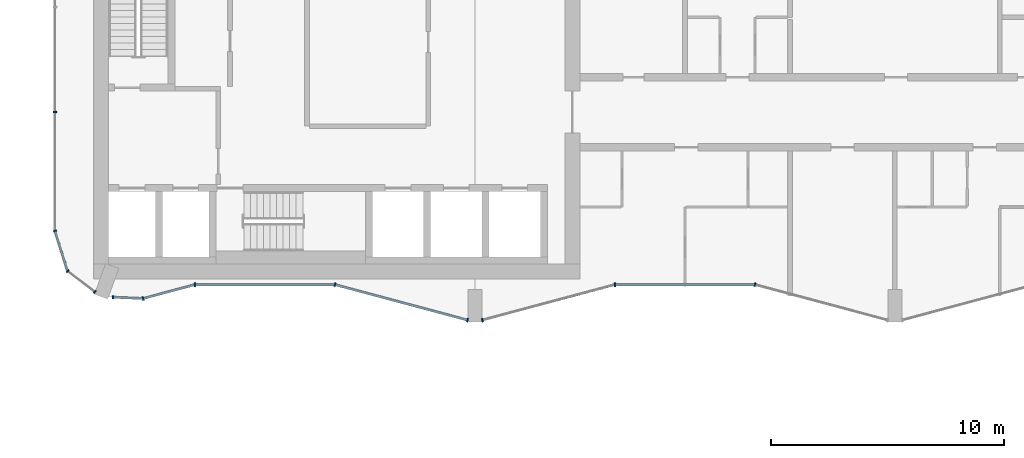
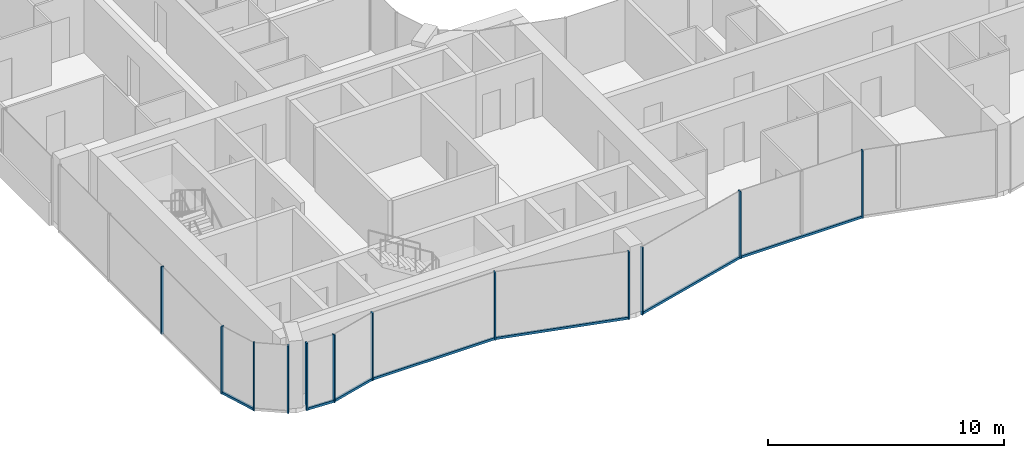
# One storey, part 2 of 22: 19 members, 10 elements without a shape of their own.
"""IFC4 building model written with IfcOpenShell, lengths in metres."""

from ifc_helpers import new_model, si_unit, direction, frame, origin, origin_2d, place, context, subcontext, project, spatial, rectangle, extrude, material, layer, layer_set, material_profile, profile_set, type_object, element, aggregate, save


model = new_model("IFC4")

# Units and contexts
model_context = context("Model", 3, precision=1e-05, world=origin(), true_north=direction((0.0, 1.0)))
body_context = subcontext(model_context, "Body", "Model", "MODEL_VIEW")
ifc_project = project(units=[si_unit("LENGTHUNIT", "METRE"), si_unit("AREAUNIT", "SQUARE_METRE"), si_unit("VOLUMEUNIT", "CUBIC_METRE"), si_unit("PLANEANGLEUNIT", "RADIAN"), si_unit("MASSUNIT", "GRAM", prefix="KILO")], contexts=[model_context])

# Site, building, storey
site_placement = place(None, origin())
site = spatial("IfcSite", under=ifc_project, at=site_placement, CompositionType="ELEMENT")
building_placement = place(site_placement, origin())
building = spatial("IfcBuilding", under=site, at=building_placement, Name="Plateau Cross Towers", CompositionType="ELEMENT")
storey_placement = place(building_placement, frame((0.0, 0.0, 113.300048828125)))
storey = spatial("IfcBuildingStorey", under=building, at=storey_placement, Name="L29", CompositionType="ELEMENT", Elevation=113.300048828125)

# Curtain wall, member
ifc_material_1 = material(Name="Dark low-iron glass", Category="glass")
ifc_layer_1 = layer(ifc_material_1, 0.239990234375)
ifc_layer_set_1 = layer_set([ifc_layer_1], Name="Dark low-iron glass")
curtain_wall_type_1 = type_object("IfcCurtainWallType", Name="Curtain wall flush unitised CW-B", PredefinedType="NOTDEFINED", material=ifc_layer_set_1)
curtain_wall_1_placement = place(storey_placement, origin())
curtain_wall_1 = element("IfcCurtainWall", 1, at=curtain_wall_1_placement, inside=storey, type_object=curtain_wall_type_1, Name="ENV/A/L29/A0_177", PredefinedType="NOTDEFINED")
ifc_material_2 = material(Name="Black anodised aluminium", Category="aluminium")
ifc_material_profile_1 = material_profile(ifc_material_2, rectangle(XDim=0.06005859375, YDim=0.139892578125, at=origin_2d()), Name="MULLION 60x140")
ifc_profile_set_1 = profile_set([ifc_material_profile_1], Name="Black anodised aluminium")
member_type_1 = type_object("IfcMemberType", Name="Mullion 60x140 flush unitised", PredefinedType="MULLION", material=ifc_profile_set_1)
member_1_placement = place(storey_placement, frame((0.0, 9.0, -0.25), z_axis=(0.0, 0.0, 1.0), x_axis=(0.0, -1.0, 0.0)))
member_1 = element("IfcMember", 2, at=member_1_placement, type_object=member_type_1, Name="CW-B mullion 3", PredefinedType="MULLION", context=body_context, shape_type="SweptSolid", body=[
    extrude(rectangle(XDim=0.06005859375, YDim=0.139892578125, at=origin_2d()), origin(), (0.0, 0.0, 1.0), 3.5),
])
aggregate(curtain_wall_1, [member_1])

curtain_wall_2_placement = place(storey_placement, origin())
curtain_wall_2 = element("IfcCurtainWall", 3, at=curtain_wall_2_placement, inside=storey, type_object=curtain_wall_type_1, Name="ENV/A/L29/A0_39", PredefinedType="NOTDEFINED")
member_2_placement = place(storey_placement, frame((0.0, 3.9091796875, -0.25), z_axis=(0.0, 0.0, 1.0), x_axis=(0.300686174994, -0.95372313811, 0.0)))
member_2 = element("IfcMember", 4, at=member_2_placement, type_object=member_type_1, Name="CW-B mullion 1", PredefinedType="MULLION", context=body_context, shape_type="SweptSolid", body=[
    extrude(rectangle(XDim=0.06005859375, YDim=0.139892578125, at=origin_2d()), origin(), (0.0, 0.0, 1.0), 3.5),
])

# Curtain wall, members
curtain_wall_3_placement = place(storey_placement, origin())
curtain_wall_3 = element("IfcCurtainWall", 5, at=curtain_wall_3_placement, inside=storey, type_object=curtain_wall_type_1, Name="ENV/A/L29/A5_22", PredefinedType="NOTDEFINED")
member_3_placement = place(storey_placement, frame((0.54248046875, 2.1884765625, -0.25), z_axis=(0.0, 0.0, 1.0), x_axis=(0.793315514529, -0.608810721331, 0.0)))
member_3 = element("IfcMember", 6, at=member_3_placement, type_object=member_type_1, Name="CW-B mullion 1", PredefinedType="MULLION", context=body_context, shape_type="SweptSolid", body=[
    extrude(rectangle(XDim=0.06005859375, YDim=0.139892578125, at=origin_2d()), origin(), (0.0, 0.0, 1.0), 3.5),
])
member_4_placement = place(storey_placement, frame((1.709716796875, 1.292724609375, -0.25), z_axis=(0.0, 0.0, 1.0), x_axis=(0.793315514529, -0.608810721331, 0.0)))
member_4 = element("IfcMember", 7, at=member_4_placement, type_object=member_type_1, Name="CW-B mullion 2", PredefinedType="MULLION", context=body_context, shape_type="SweptSolid", body=[
    extrude(rectangle(XDim=0.06005859375, YDim=0.139892578125, at=origin_2d()), origin(), (0.0, 0.0, 1.0), 3.5),
])
aggregate(curtain_wall_3, [member_3, member_4])

# Curtain wall, member
curtain_wall_4_placement = place(storey_placement, origin())
curtain_wall_4 = element("IfcCurtainWall", 8, at=curtain_wall_4_placement, inside=storey, type_object=curtain_wall_type_1, Name="ENV/A/L29/A25_11", PredefinedType="NOTDEFINED")
member_5_placement = place(storey_placement, frame((2.483642578125, 1.06787109375, -0.25), z_axis=(0.0, 0.0, 1.0), x_axis=(0.999043701491, -0.043722791671, 0.0)))
member_5 = element("IfcMember", 9, at=member_5_placement, type_object=member_type_1, Name="CW-B mullion 1", PredefinedType="MULLION", context=body_context, shape_type="SweptSolid", body=[
    extrude(rectangle(XDim=0.06005859375, YDim=0.139892578125, at=origin_2d()), origin(), (0.0, 0.0, 1.0), 3.5),
])

ifc_layer_2 = layer(ifc_material_1, 0.260009765625)
ifc_layer_set_2 = layer_set([ifc_layer_2], Name="Dark low-iron glass")
curtain_wall_type_2 = type_object("IfcCurtainWallType", Name="Curtain wall fluted unitised CW-A", PredefinedType="NOTDEFINED", material=ifc_layer_set_2)
curtain_wall_5_placement = place(storey_placement, origin())
curtain_wall_5 = element("IfcCurtainWall", 10, at=curtain_wall_5_placement, inside=storey, type_object=curtain_wall_type_2, Name="ENV/A/L29/A38_10", PredefinedType="NOTDEFINED")
ifc_material_profile_2 = material_profile(ifc_material_2, rectangle(XDim=0.06005859375, YDim=0.159912109375, at=origin_2d()), Name="MULLION 60x160")
ifc_profile_set_2 = profile_set([ifc_material_profile_2], Name="Black anodised aluminium")
member_type_2 = type_object("IfcMemberType", Name="Mullion 60x160 fluted unitised", PredefinedType="MULLION", material=ifc_profile_set_2)
member_6_placement = place(storey_placement, frame((3.776123046875, 1.01123046875, -0.25), z_axis=(0.0, 0.0, 1.0), x_axis=(0.965957962328, 0.258699081978, 0.0)))
member_6 = element("IfcMember", 11, at=member_6_placement, type_object=member_type_2, Name="CW-A mullion 1", PredefinedType="MULLION", context=body_context, shape_type="SweptSolid", body=[
    extrude(rectangle(XDim=0.06005859375, YDim=0.159912109375, at=origin_2d()), origin(), (0.0, 0.0, 1.0), 3.5),
])

curtain_wall_6_placement = place(storey_placement, origin())
curtain_wall_6 = element("IfcCurtainWall", 12, at=curtain_wall_6_placement, inside=storey, type_object=curtain_wall_type_2, Name="ENV/A/L29/A60_16", PredefinedType="NOTDEFINED")
member_7_placement = place(storey_placement, frame((6.0, 1.60693359375, -0.25), z_axis=(0.0, 0.0, 1.0), x_axis=(1.0, 0.0, 0.0)))
member_7 = element("IfcMember", 13, at=member_7_placement, type_object=member_type_2, Name="CW-A mullion 1", PredefinedType="MULLION", context=body_context, shape_type="SweptSolid", body=[
    extrude(rectangle(XDim=0.06005859375, YDim=0.159912109375, at=origin_2d()), origin(), (0.0, 0.0, 1.0), 3.5),
])

# Curtain wall, members
curtain_wall_7_placement = place(storey_placement, origin())
curtain_wall_7 = element("IfcCurtainWall", 14, at=curtain_wall_7_placement, inside=storey, type_object=curtain_wall_type_2, Name="ENV/A/L29/A120_16", PredefinedType="NOTDEFINED")
member_8_placement = place(storey_placement, frame((12.0, 1.60693359375, -0.25), z_axis=(0.0, 0.0, 1.0), x_axis=(0.965957983404, -0.258699003279, 0.0)))
member_8 = element("IfcMember", 15, at=member_8_placement, type_object=member_type_2, Name="CW-A mullion 1", PredefinedType="MULLION", context=body_context, shape_type="SweptSolid", body=[
    extrude(rectangle(XDim=0.06005859375, YDim=0.159912109375, at=origin_2d()), origin(), (0.0, 0.0, 1.0), 3.5),
])
member_9_placement = place(storey_placement, frame((17.68212890625, 0.085205078125, -0.25), z_axis=(0.0, 0.0, 1.0), x_axis=(0.965957983404, -0.258699003279, 0.0)))
member_9 = element("IfcMember", 16, at=member_9_placement, type_object=member_type_2, Name="CW-A mullion 2", PredefinedType="MULLION", context=body_context, shape_type="SweptSolid", body=[
    extrude(rectangle(XDim=0.06005859375, YDim=0.159912109375, at=origin_2d()), origin(), (0.0, 0.0, 1.0), 3.5),
])

# Curtain wall, member
curtain_wall_8_placement = place(storey_placement, origin())
curtain_wall_8 = element("IfcCurtainWall", 17, at=curtain_wall_8_placement, inside=storey, type_object=curtain_wall_type_2, Name="ENV/A/L29/A183_1", PredefinedType="NOTDEFINED")
member_10_placement = place(storey_placement, frame((18.31787109375, 0.085205078125, -0.25), z_axis=(0.0, 0.0, 1.0), x_axis=(0.965957983404, 0.258699003279, 0.0)))
member_10 = element("IfcMember", 18, at=member_10_placement, type_object=member_type_2, Name="CW-A mullion 1", PredefinedType="MULLION", context=body_context, shape_type="SweptSolid", body=[
    extrude(rectangle(XDim=0.06005859375, YDim=0.159912109375, at=origin_2d()), origin(), (0.0, 0.0, 1.0), 3.5),
])

curtain_wall_9_placement = place(storey_placement, origin())
curtain_wall_9 = element("IfcCurtainWall", 19, at=curtain_wall_9_placement, inside=storey, type_object=curtain_wall_type_2, Name="ENV/A/L29/A240_16", PredefinedType="NOTDEFINED")
member_11_placement = place(storey_placement, frame((24.0, 1.60693359375, -0.25), z_axis=(0.0, 0.0, 1.0), x_axis=(1.0, 0.0, 0.0)))
member_11 = element("IfcMember", 20, at=member_11_placement, type_object=member_type_2, Name="CW-A mullion 1", PredefinedType="MULLION", context=body_context, shape_type="SweptSolid", body=[
    extrude(rectangle(XDim=0.06005859375, YDim=0.159912109375, at=origin_2d()), origin(), (0.0, 0.0, 1.0), 3.5),
])

curtain_wall_10_placement = place(storey_placement, origin())
curtain_wall_10 = element("IfcCurtainWall", 21, at=curtain_wall_10_placement, inside=storey, type_object=curtain_wall_type_2, Name="ENV/A/L29/A300_16", PredefinedType="NOTDEFINED")
member_12_placement = place(storey_placement, frame((30.0, 1.60693359375, -0.25), z_axis=(0.0, 0.0, 1.0), x_axis=(0.965957983404, -0.258699003279, 0.0)))
member_12 = element("IfcMember", 22, at=member_12_placement, type_object=member_type_2, Name="CW-A mullion 1", PredefinedType="MULLION", context=body_context, shape_type="SweptSolid", body=[
    extrude(rectangle(XDim=0.06005859375, YDim=0.159912109375, at=origin_2d()), origin(), (0.0, 0.0, 1.0), 3.5),
])
aggregate(curtain_wall_10, [member_12])

# Member
ifc_material_profile_3 = material_profile(ifc_material_2, rectangle(XDim=0.10009765625, YDim=0.1201171875, at=origin_2d()), Name="TRANSOM 100x120")
ifc_profile_set_3 = profile_set([ifc_material_profile_3], Name="Black anodised aluminium")
member_type_3 = type_object("IfcMemberType", Name="Transom 100x120 flush unitised", PredefinedType="USERDEFINED", material=ifc_profile_set_3)
member_13_placement = place(storey_placement, frame((0.0, 3.9091796875, -0.18994140625), z_axis=(0.30067799945, -0.953725715626, 0.0), x_axis=(0.953725715626, 0.30067799945, 0.0)))
member_13 = element("IfcMember", 23, at=member_13_placement, type_object=member_type_3, Name="CW-B transom", ObjectType="TRANSOM", PredefinedType="USERDEFINED", context=body_context, shape_type="SweptSolid", body=[
    extrude(rectangle(XDim=0.10009765625, YDim=0.1201171875, at=origin_2d()), origin(), (0.0, 0.0, 1.0), 1.80419921875),
])

aggregate(curtain_wall_2, [member_2, member_13])

member_14_placement = place(storey_placement, frame((2.483642578125, 1.06787109375, -0.18994140625), z_axis=(0.999041144614, -0.043781175963, 0.0), x_axis=(0.043781175963, 0.999041144614, 0.0)))
member_14 = element("IfcMember", 24, at=member_14_placement, type_object=member_type_3, Name="CW-B transom", ObjectType="TRANSOM", PredefinedType="USERDEFINED", context=body_context, shape_type="SweptSolid", body=[
    extrude(rectangle(XDim=0.10009765625, YDim=0.1201171875, at=origin_2d()), origin(), (0.0, 0.0, 1.0), 1.293701171875),
])

aggregate(curtain_wall_4, [member_5, member_14])

ifc_material_profile_4 = material_profile(ifc_material_2, rectangle(XDim=0.10009765625, YDim=0.1201171875, at=origin_2d()), Name="TRANSOM 100x120")
ifc_profile_set_4 = profile_set([ifc_material_profile_4], Name="Black anodised aluminium")
member_type_4 = type_object("IfcMemberType", Name="Transom 100x120 fluted unitised", PredefinedType="USERDEFINED", material=ifc_profile_set_4)
member_15_placement = place(storey_placement, frame((3.776123046875, 1.01123046875, -0.18994140625), z_axis=(0.965945685136, 0.258744919501, 0.0), x_axis=(-0.258744919501, 0.965945685136, 0.0)))
member_15 = element("IfcMember", 25, at=member_15_placement, type_object=member_type_4, Name="CW-A transom", ObjectType="TRANSOM", PredefinedType="USERDEFINED", context=body_context, shape_type="SweptSolid", body=[
    extrude(rectangle(XDim=0.10009765625, YDim=0.1201171875, at=origin_2d()), origin(), (0.0, 0.0, 1.0), 2.30224609375),
])

aggregate(curtain_wall_5, [member_6, member_15])

member_16_placement = place(storey_placement, frame((6.0, 1.60693359375, -0.18994140625), z_axis=(1.0, 0.0, 0.0), x_axis=(0.0, 1.0, 0.0)))
member_16 = element("IfcMember", 26, at=member_16_placement, type_object=member_type_4, Name="CW-A transom", ObjectType="TRANSOM", PredefinedType="USERDEFINED", context=body_context, shape_type="SweptSolid", body=[
    extrude(rectangle(XDim=0.10009765625, YDim=0.1201171875, at=origin_2d()), origin(), (0.0, 0.0, 1.0), 6.0),
])

aggregate(curtain_wall_6, [member_7, member_16])

member_17_placement = place(storey_placement, frame((12.0, 1.60693359375, -0.18994140625), z_axis=(0.965959534794, -0.258693210465, 0.0), x_axis=(0.258693210465, 0.965959534794, 0.0)))
member_17 = element("IfcMember", 27, at=member_17_placement, type_object=member_type_4, Name="CW-A transom", ObjectType="TRANSOM", PredefinedType="USERDEFINED", context=body_context, shape_type="SweptSolid", body=[
    extrude(rectangle(XDim=0.10009765625, YDim=0.1201171875, at=origin_2d()), origin(), (0.0, 0.0, 1.0), 5.88232421875),
])

aggregate(curtain_wall_7, [member_8, member_9, member_17])

member_18_placement = place(storey_placement, frame((18.31787109375, 0.085205078125, -0.18994140625), z_axis=(0.965959534794, 0.258693210465, 0.0), x_axis=(-0.258693210465, 0.965959534794, 0.0)))
member_18 = element("IfcMember", 28, at=member_18_placement, type_object=member_type_4, Name="CW-A transom", ObjectType="TRANSOM", PredefinedType="USERDEFINED", context=body_context, shape_type="SweptSolid", body=[
    extrude(rectangle(XDim=0.10009765625, YDim=0.1201171875, at=origin_2d()), origin(), (0.0, 0.0, 1.0), 5.88232421875),
])

aggregate(curtain_wall_8, [member_10, member_18])

member_19_placement = place(storey_placement, frame((24.0, 1.60693359375, -0.18994140625), z_axis=(1.0, 0.0, 0.0), x_axis=(0.0, 1.0, 0.0)))
member_19 = element("IfcMember", 29, at=member_19_placement, type_object=member_type_4, Name="CW-A transom", ObjectType="TRANSOM", PredefinedType="USERDEFINED", context=body_context, shape_type="SweptSolid", body=[
    extrude(rectangle(XDim=0.10009765625, YDim=0.1201171875, at=origin_2d()), origin(), (0.0, 0.0, 1.0), 6.0),
])

aggregate(curtain_wall_9, [member_11, member_19])

save(model, "model.ifc")
